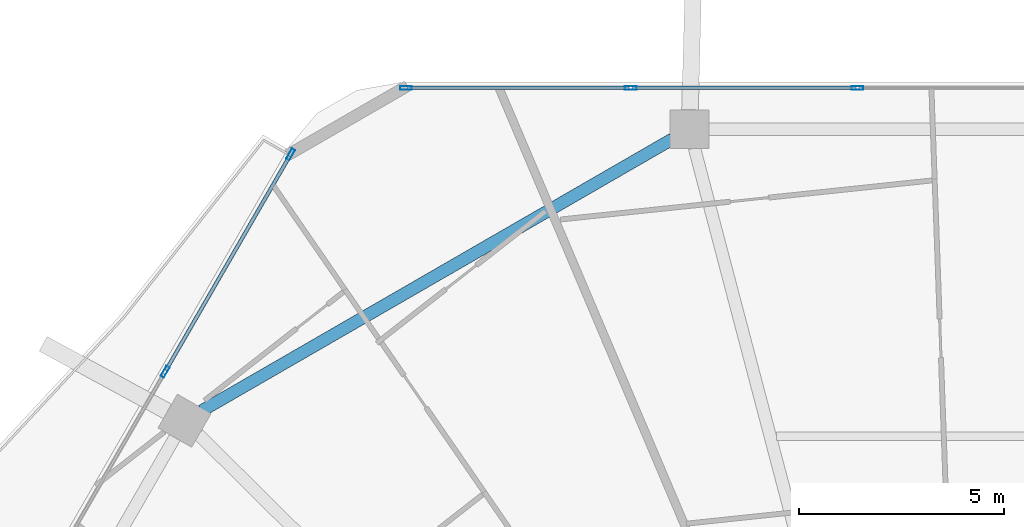
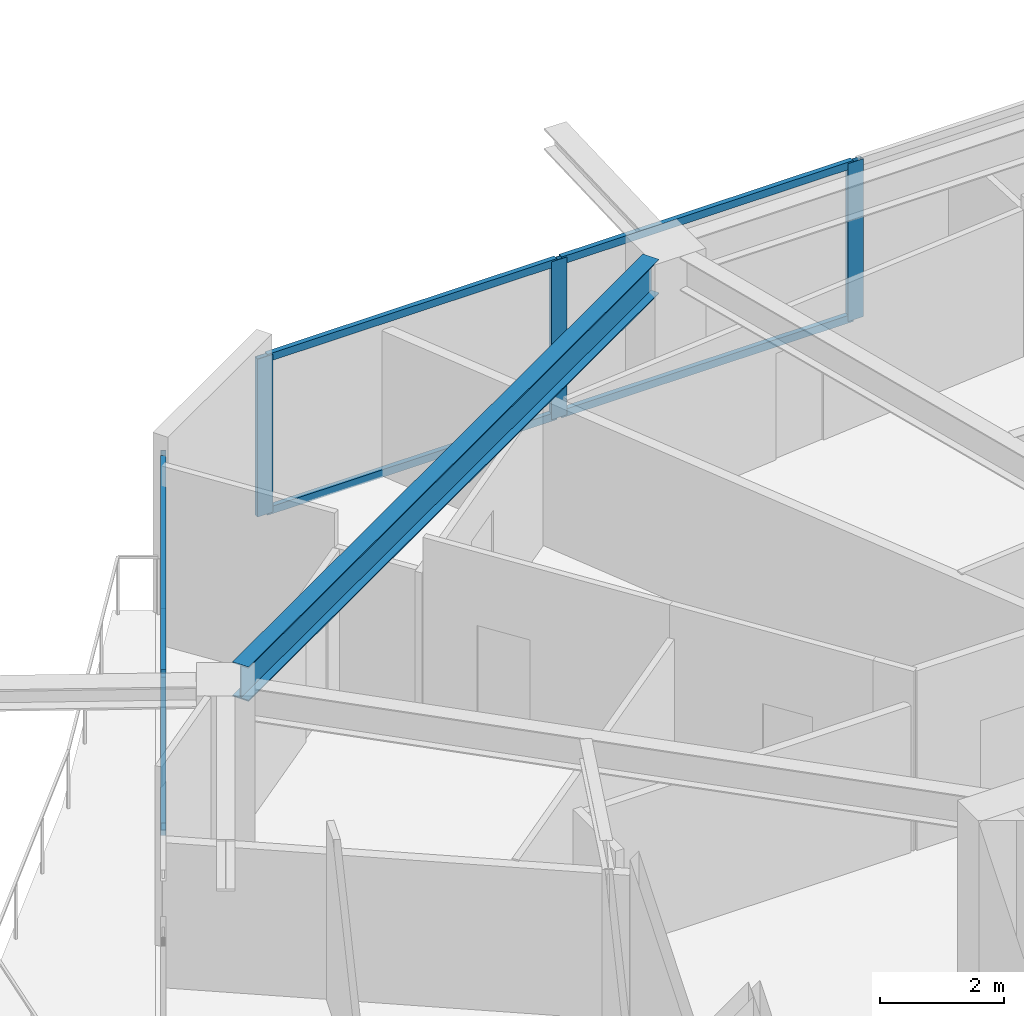
# One storey, part 12 of 26: 11 members, 1 beam, 2 elements without a shape of their own.
"""IFC4 building model written with IfcOpenShell, lengths in metres."""

from ifc_helpers import new_model, si_unit, direction, frame, origin, origin_2d, place, context, subcontext, project, spatial, hollow_rectangle, i_section, extrude, material, material_profile, profile_set, type_object, element, aggregate, save


model = new_model("IFC4")

# Units and contexts
model_context = context("Model", 3, precision=1e-05, world=origin(), true_north=direction((0.0, 1.0)))
body_context = subcontext(model_context, "Body", "Model", "MODEL_VIEW")
ifc_project = project(units=[si_unit("LENGTHUNIT", "METRE"), si_unit("AREAUNIT", "SQUARE_METRE"), si_unit("VOLUMEUNIT", "CUBIC_METRE"), si_unit("PLANEANGLEUNIT", "RADIAN"), si_unit("MASSUNIT", "GRAM", prefix="KILO")], contexts=[model_context])

# Site, building, storey
site_placement = place(None, origin())
site = spatial("IfcSite", under=ifc_project, at=site_placement, CompositionType="ELEMENT")
building_placement = place(site_placement, origin())
building = spatial("IfcBuilding", under=site, at=building_placement, Name="Zuhravey Tower", CompositionType="ELEMENT")
storey_placement = place(building_placement, frame((0.0, 0.0, 211.199951171875)))
storey = spatial("IfcBuildingStorey", under=building, at=storey_placement, Name="L53", CompositionType="ELEMENT", Elevation=211.199951171875)

# Curtain wall, members
ifc_material_1 = material(Name="Thermally broken anodised aluminium", Category="aluminium")
curtain_wall_type = type_object("IfcCurtainWallType", Name="Zone 1-2 Residential Curtain Wall CW3", PredefinedType="NOTDEFINED", material=ifc_material_1)
curtain_wall_1_placement = place(storey_placement, origin())
curtain_wall_1 = element("IfcCurtainWall", 1, at=curtain_wall_1_placement, inside=storey, type_object=curtain_wall_type, Name="L53 CW3 CW-L53-F3-2", PredefinedType="NOTDEFINED")
ifc_material_2 = material(Name="Anodised aluminium", Category="aluminium")
ifc_material_profile_1 = material_profile(ifc_material_2, hollow_rectangle(XDim=0.090087890625, YDim=0.284912109375, WallThickness=0.0048828125, at=origin_2d()), Name="ALU-RHS-90x285x5")
ifc_profile_set_1 = profile_set([ifc_material_profile_1], Name="Anodised aluminium")
member_type_1 = type_object("IfcMemberType", Name="Curtain-Wall Mullion 90x180", PredefinedType="MULLION", material=ifc_profile_set_1)
member_1_placement = place(storey_placement, frame((16.298583984375, 52.2421875, 0.0), z_axis=(0.0, 0.0, 1.0), x_axis=(-0.866026823283, 0.499997541348, 0.0)))
member_1 = element("IfcMember", 2, at=member_1_placement, type_object=member_type_1, Name="CW3 mullion 3", PredefinedType="MULLION", context=body_context, shape_type="SweptSolid", body=[
    extrude(hollow_rectangle(XDim=0.090087890625, YDim=0.284912109375, WallThickness=0.0048828125, at=origin_2d()), origin(), (0.0, 0.0, 1.0), 3.1220703125),
])
member_2_placement = place(storey_placement, frame((19.36669921875, 57.556640625, 0.0), z_axis=(0.0, 0.0, 1.0), x_axis=(-0.866026823283, 0.499997541348, 0.0)))
member_2 = element("IfcMember", 3, at=member_2_placement, type_object=member_type_1, Name="CW3 mullion 4", PredefinedType="MULLION", context=body_context, shape_type="SweptSolid", body=[
    extrude(hollow_rectangle(XDim=0.090087890625, YDim=0.284912109375, WallThickness=0.0048828125, at=origin_2d()), origin(), (0.0, 0.0, 1.0), 3.1220703125),
])

curtain_wall_2_placement = place(storey_placement, origin())
curtain_wall_2 = element("IfcCurtainWall", 4, at=curtain_wall_2_placement, inside=storey, type_object=curtain_wall_type, Name="L53 CW3 CW-L53-F2-1", PredefinedType="NOTDEFINED")
member_3_placement = place(storey_placement, frame((22.183837890625, 59.18310546875, 0.0), z_axis=(0.0, 0.0, 1.0), x_axis=(0.0, 1.0, 0.0)))
member_3 = element("IfcMember", 5, at=member_3_placement, type_object=member_type_1, Name="CW3 mullion 1", PredefinedType="MULLION", context=body_context, shape_type="SweptSolid", body=[
    extrude(hollow_rectangle(XDim=0.090087890625, YDim=0.284912109375, WallThickness=0.0048828125, at=origin_2d()), origin(), (0.0, 0.0, 1.0), 3.1220703125),
])
member_4_placement = place(storey_placement, frame((27.683349609375, 59.18310546875, 0.0), z_axis=(0.0, 0.0, 1.0), x_axis=(0.0, 1.0, 0.0)))
member_4 = element("IfcMember", 6, at=member_4_placement, type_object=member_type_1, Name="CW3 mullion 2", PredefinedType="MULLION", context=body_context, shape_type="SweptSolid", body=[
    extrude(hollow_rectangle(XDim=0.090087890625, YDim=0.284912109375, WallThickness=0.0048828125, at=origin_2d()), origin(), (0.0, 0.0, 1.0), 3.1220703125),
])
member_5_placement = place(storey_placement, frame((33.227783203125, 59.18310546875, 0.0), z_axis=(0.0, 0.0, 1.0), x_axis=(0.0, 1.0, 0.0)))
member_5 = element("IfcMember", 7, at=member_5_placement, type_object=member_type_1, Name="CW3 mullion 3", PredefinedType="MULLION", context=body_context, shape_type="SweptSolid", body=[
    extrude(hollow_rectangle(XDim=0.090087890625, YDim=0.284912109375, WallThickness=0.0048828125, at=origin_2d()), origin(), (0.0, 0.0, 1.0), 3.1220703125),
])

# Member
ifc_material_profile_2 = material_profile(ifc_material_2, hollow_rectangle(XDim=0.090087890625, YDim=0.14990234375, WallThickness=0.0048828125, at=origin_2d()), Name="ALU-RHS-90x150x5")
ifc_profile_set_2 = profile_set([ifc_material_profile_2], Name="Anodised aluminium")
member_type_2 = type_object("IfcMemberType", Name="Curtain-Wall Transom 90x150", PredefinedType="USERDEFINED", material=ifc_profile_set_2)
member_6_placement = place(storey_placement, frame((16.321044921875, 52.28125, 0.045166015625), z_axis=(0.499999740363, 0.866025553686, 0.0), x_axis=(-0.866025553686, 0.499999740363, 0.0)))
member_6 = element("IfcMember", 8, at=member_6_placement, type_object=member_type_2, Name="CW3 transom 3.1", ObjectType="TRANSOM", PredefinedType="USERDEFINED", context=body_context, shape_type="SweptSolid", body=[
    extrude(hollow_rectangle(XDim=0.090087890625, YDim=0.14990234375, WallThickness=0.0048828125, at=origin_2d()), origin(), (0.0, 0.0, 1.0), 6.04638671875),
])

member_7_placement = place(storey_placement, frame((16.321044921875, 52.28125, 3.0771484375), z_axis=(0.499999740363, 0.866025553686, 0.0), x_axis=(-0.866025553686, 0.499999740363, 0.0)))
member_7 = element("IfcMember", 9, at=member_7_placement, type_object=member_type_2, Name="CW3 transom 3.2", ObjectType="TRANSOM", PredefinedType="USERDEFINED", context=body_context, shape_type="SweptSolid", body=[
    extrude(hollow_rectangle(XDim=0.090087890625, YDim=0.14990234375, WallThickness=0.0048828125, at=origin_2d()), origin(), (0.0, 0.0, 1.0), 6.04638671875),
])

aggregate(curtain_wall_1, [member_1, member_2, member_6, member_7])

member_8_placement = place(storey_placement, frame((22.22900390625, 59.18310546875, 0.045166015625), z_axis=(1.0, 0.0, 0.0), x_axis=(0.0, 1.0, 0.0)))
member_8 = element("IfcMember", 10, at=member_8_placement, type_object=member_type_2, Name="CW3 transom 1.1", ObjectType="TRANSOM", PredefinedType="USERDEFINED", context=body_context, shape_type="SweptSolid", body=[
    extrude(hollow_rectangle(XDim=0.090087890625, YDim=0.14990234375, WallThickness=0.0048828125, at=origin_2d()), origin(), (0.0, 0.0, 1.0), 5.409423828125),
])

member_9_placement = place(storey_placement, frame((22.22900390625, 59.18310546875, 3.0771484375), z_axis=(1.0, 0.0, 0.0), x_axis=(0.0, 1.0, 0.0)))
member_9 = element("IfcMember", 11, at=member_9_placement, type_object=member_type_2, Name="CW3 transom 1.2", ObjectType="TRANSOM", PredefinedType="USERDEFINED", context=body_context, shape_type="SweptSolid", body=[
    extrude(hollow_rectangle(XDim=0.090087890625, YDim=0.14990234375, WallThickness=0.0048828125, at=origin_2d()), origin(), (0.0, 0.0, 1.0), 5.409423828125),
])

member_10_placement = place(storey_placement, frame((27.728271484375, 59.18310546875, 0.045166015625), z_axis=(1.0, 0.0, 0.0), x_axis=(0.0, 1.0, 0.0)))
member_10 = element("IfcMember", 12, at=member_10_placement, type_object=member_type_2, Name="CW3 transom 2.1", ObjectType="TRANSOM", PredefinedType="USERDEFINED", context=body_context, shape_type="SweptSolid", body=[
    extrude(hollow_rectangle(XDim=0.090087890625, YDim=0.14990234375, WallThickness=0.0048828125, at=origin_2d()), origin(), (0.0, 0.0, 1.0), 5.45458984375),
])

member_11_placement = place(storey_placement, frame((27.728271484375, 59.18310546875, 3.0771484375), z_axis=(1.0, 0.0, 0.0), x_axis=(0.0, 1.0, 0.0)))
member_11 = element("IfcMember", 13, at=member_11_placement, type_object=member_type_2, Name="CW3 transom 2.2", ObjectType="TRANSOM", PredefinedType="USERDEFINED", context=body_context, shape_type="SweptSolid", body=[
    extrude(hollow_rectangle(XDim=0.090087890625, YDim=0.14990234375, WallThickness=0.0048828125, at=origin_2d()), origin(), (0.0, 0.0, 1.0), 5.45458984375),
])

aggregate(curtain_wall_2, [member_3, member_4, member_5, member_8, member_9, member_10, member_11])

# Beam
ifc_material_3 = material(Name="Steel SM355", Category="steel")
ifc_material_profile_3 = material_profile(ifc_material_3, i_section(OverallWidth=0.300048828125, OverallDepth=0.679931640625, WebThickness=0.012939453125, FlangeThickness=0.02197265625, at=origin_2d()), Name="H-680x300x13x22")
ifc_profile_set_3 = profile_set([ifc_material_profile_3], Name="Steel SM355")
beam_type = type_object("IfcBeamType", Name="Perimeter Ring Beam H680x300", PredefinedType="BEAM", material=ifc_profile_set_3)
beam_placement = place(storey_placement, frame((28.7041015625, 57.93408203125, 3.2099609375), z_axis=(-0.866029041019, -0.499993700073, 0.0), x_axis=(0.499993700073, -0.866029041019, 0.0)))
element("IfcBeam", 14, at=beam_placement, inside=storey, type_object=beam_type, Name="L53 PB2 BM-L53-PB-04", PredefinedType="BEAM", context=body_context, shape_type="SweptSolid", body=[
    extrude(i_section(OverallWidth=0.300048828125, OverallDepth=0.679931640625, WebThickness=0.012939453125, FlangeThickness=0.02197265625, at=origin_2d()), origin(), (0.0, 0.0, 1.0), 13.297119140625),
])

save(model, "model.ifc")
